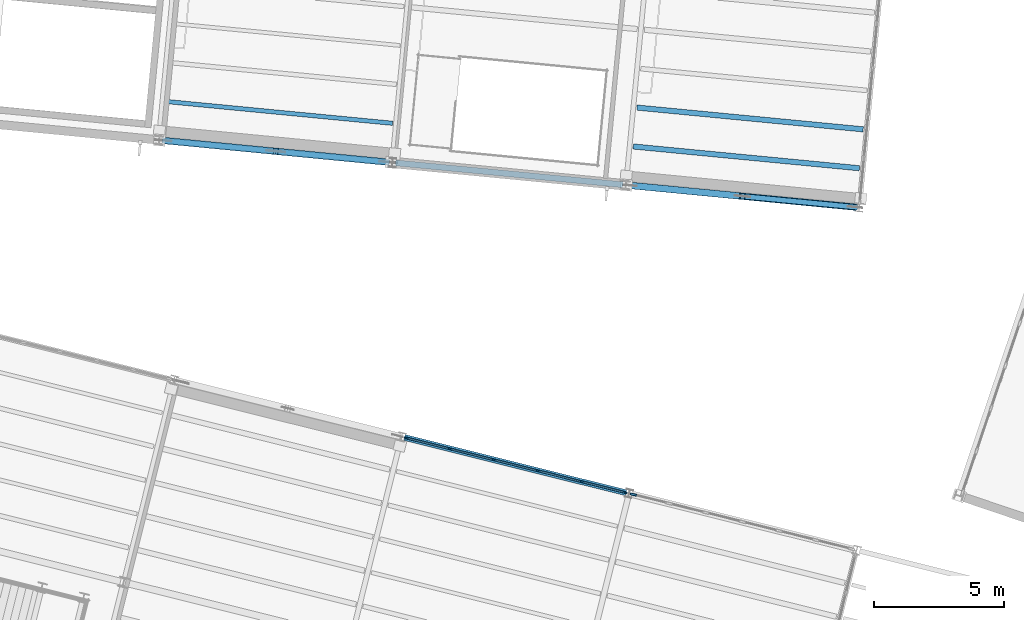
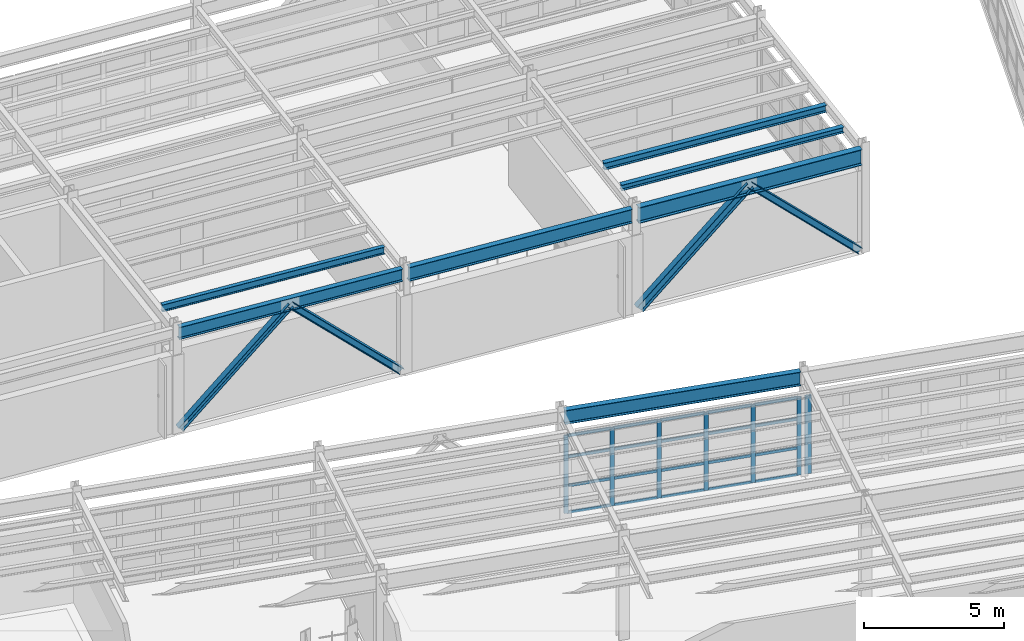
# One storey, part 33 of 102: 31 members, 7 beams, 2 elements without a shape of their own.
"""IFC4 building model written with IfcOpenShell, lengths in metres."""

from ifc_helpers import new_model, si_unit, direction, frame, origin, origin_2d, place, context, subcontext, project, spatial, rectangle, i_section, extrude, material, layer, layer_set, material_profile, profile_set, type_object, element, aggregate, save


model = new_model("IFC4")

# Units and contexts
model_context = context("Model", 3, precision=1e-05, world=origin(), true_north=direction((0.0, 1.0)))
body_context = subcontext(model_context, "Body", "Model", "MODEL_VIEW")
ifc_project = project(units=[si_unit("LENGTHUNIT", "METRE"), si_unit("AREAUNIT", "SQUARE_METRE"), si_unit("VOLUMEUNIT", "CUBIC_METRE"), si_unit("PLANEANGLEUNIT", "RADIAN"), si_unit("MASSUNIT", "GRAM", prefix="KILO")], contexts=[model_context])

# Site, building, storey
site_placement = place(None, origin())
site = spatial("IfcSite", under=ifc_project, at=site_placement, CompositionType="ELEMENT")
building_placement = place(site_placement, origin())
building = spatial("IfcBuilding", under=site, at=building_placement, Name="Vireo Bluff Cable Station", CompositionType="ELEMENT")
storey_placement = place(building_placement, frame((0.0, 0.0, 9.60009765625)))
storey = spatial("IfcBuildingStorey", under=building, at=storey_placement, Name="L02", CompositionType="ELEMENT", Elevation=9.60009765625)

# Members
ifc_material_1 = material(Name="Steel ASTM A992 Gr. 50", Category="steel")
ifc_material_profile_1 = material_profile(ifc_material_1, i_section(OverallWidth=0.2041015625, OverallDepth=0.257080078125, WebThickness=0.0087890625, FlangeThickness=0.015625, FilletRadius=0.009033203125, at=origin_2d()), Name="W10X45")
ifc_profile_set_1 = profile_set([ifc_material_profile_1], Name="Steel ASTM A992 Gr. 50")
member_type_1 = type_object("IfcMemberType", Name="BRC-01", PredefinedType="BRACE", material=ifc_profile_set_1)
member_1_placement = place(storey_placement, frame((103.4130859375, 63.56884765625, 0.039794921875), z_axis=(-0.720245625115, 0.069317790312, 0.690247262543), x_axis=(-0.095799228761, -0.995400676998, 0.0)))
element("IfcMember", 1, at=member_1_placement, inside=storey, type_object=member_type_1, Name="V3 L02 concentric brace 60R", PredefinedType="BRACE", context=body_context, shape_type="SweptSolid", body=[
    extrude(i_section(OverallWidth=0.2041015625, OverallDepth=0.257080078125, WebThickness=0.0087890625, FlangeThickness=0.015625, FilletRadius=0.009033203125, at=origin_2d()), origin(), (0.0, 0.0, 1.0), 5.998046875),
])
ifc_material_profile_2 = material_profile(ifc_material_1, i_section(OverallWidth=0.2548828125, OverallDepth=0.256103515625, WebThickness=0.009521484375, FlangeThickness=0.015625, FilletRadius=0.009033203125, at=origin_2d()), Name="W10X54")
ifc_profile_set_2 = profile_set([ifc_material_profile_2], Name="Steel ASTM A992 Gr. 50")
member_type_2 = type_object("IfcMemberType", Name="BRC-02", PredefinedType="BRACE", material=ifc_profile_set_2)
member_2_placement = place(storey_placement, frame((76.85595703125, 66.1259765625, 0.039794921875), z_axis=(0.720243592379, -0.069358297904, 0.690245314471), x_axis=(0.095854965264, 0.995395311238, 0.0)))
element("IfcMember", 2, at=member_2_placement, inside=storey, type_object=member_type_2, Name="V3 L02 concentric brace 61L", PredefinedType="BRACE", context=body_context, shape_type="SweptSolid", body=[
    extrude(i_section(OverallWidth=0.2548828125, OverallDepth=0.256103515625, WebThickness=0.009521484375, FlangeThickness=0.015625, FilletRadius=0.009033203125, at=origin_2d()), origin(), (0.0, 0.0, 1.0), 5.998046875),
])
ifc_material_profile_3 = material_profile(ifc_material_1, i_section(OverallWidth=0.257080078125, OverallDepth=0.263916015625, WebThickness=0.011962890625, FlangeThickness=0.01953125, FilletRadius=0.009033203125, at=origin_2d()), Name="W10X68")
ifc_profile_set_3 = profile_set([ifc_material_profile_3], Name="Steel ASTM A992 Gr. 50")
member_type_3 = type_object("IfcMemberType", Name="BRC-03", PredefinedType="BRACE", material=ifc_profile_set_3)
member_3_placement = place(storey_placement, frame((85.495849609375, 65.2939453125, 0.039794921875), z_axis=(-0.720224003124, 0.06936033126, 0.690265550185), x_axis=(-0.095860332855, -0.995394794333, 0.0)))
element("IfcMember", 3, at=member_3_placement, inside=storey, type_object=member_type_3, Name="V3 L02 concentric brace 62R", PredefinedType="BRACE", context=body_context, shape_type="SweptSolid", body=[
    extrude(i_section(OverallWidth=0.257080078125, OverallDepth=0.263916015625, WebThickness=0.011962890625, FlangeThickness=0.01953125, FilletRadius=0.009033203125, at=origin_2d()), origin(), (0.0, 0.0, 1.0), 5.997802734375),
])
ifc_material_profile_4 = material_profile(ifc_material_1, i_section(OverallWidth=0.25390625, OverallDepth=0.35302734375, WebThickness=0.009521484375, FlangeThickness=0.016357421875, FilletRadius=0.011962890625, at=origin_2d()), Name="W14X61")
ifc_profile_set_4 = profile_set([ifc_material_profile_4], Name="Steel ASTM A992 Gr. 50")
member_type_4 = type_object("IfcMemberType", Name="BRC-06", PredefinedType="BRACE", material=ifc_profile_set_4)
member_4_placement = place(storey_placement, frame((94.77294921875, 64.400634765625, 0.039794921875), z_axis=(0.720243592379, -0.069358297904, 0.690245314471), x_axis=(0.095854965264, 0.995395311238, 0.0)))
element("IfcMember", 4, at=member_4_placement, inside=storey, type_object=member_type_4, Name="V3 L02 concentric brace 59L", PredefinedType="BRACE", context=body_context, shape_type="SweptSolid", body=[
    extrude(i_section(OverallWidth=0.25390625, OverallDepth=0.35302734375, WebThickness=0.009521484375, FlangeThickness=0.016357421875, FilletRadius=0.011962890625, at=origin_2d()), origin(), (0.0, 0.0, 1.0), 5.998046875),
])

# Curtain wall, members
ifc_material_2 = material(Name="Anodized Aluminium 6063-T6", Category="aluminium")
ifc_layer_1 = layer(ifc_material_2, 0.179931640625, Name="Anodized Aluminium 6063-T6")
ifc_layer_set_1 = layer_set([ifc_layer_1], Name="Anodized Aluminium 6063-T6")
curtain_wall_type_1 = type_object("IfcCurtainWallType", Name="CW-UNIT-1650", PredefinedType="USERDEFINED", material=ifc_layer_set_1)
curtain_wall_1_placement = place(storey_placement, origin())
curtain_wall_1 = element("IfcCurtainWall", 5, at=curtain_wall_1_placement, inside=storey, type_object=curtain_wall_type_1, Name="V1 L02 north curtain wall CW-014", ObjectType="UNITISED CURTAIN WALL", PredefinedType="USERDEFINED")
ifc_material_profile_5 = material_profile(ifc_material_2, rectangle(XDim=0.06005859375, YDim=0.159912109375, at=origin_2d()), Name="ALU-M-60X160")
ifc_profile_set_5 = profile_set([ifc_material_profile_5], Name="Anodized Aluminium 6063-T6")
member_type_5 = type_object("IfcMemberType", Name="CWM-03", PredefinedType="MULLION", material=ifc_profile_set_5)
member_5_placement = place(storey_placement, frame((86.18701171875, 54.709716796875, 0.0), z_axis=(0.0, 0.0, 1.0), x_axis=(0.241921961849, 0.970295709758, 0.0)))
member_5 = element("IfcMember", 6, at=member_5_placement, type_object=member_type_5, Name="CW-014 mullion 1", PredefinedType="MULLION", context=body_context, shape_type="SweptSolid", body=[
    extrude(rectangle(XDim=0.06005859375, YDim=0.159912109375, at=origin_2d()), origin(), (0.0, 0.0, 1.0), 3.39990234375),
])
member_6_placement = place(storey_placement, frame((87.8486328125, 54.29541015625, 0.0), z_axis=(0.0, 0.0, 1.0), x_axis=(0.241921961849, 0.970295709758, 0.0)))
member_6 = element("IfcMember", 7, at=member_6_placement, type_object=member_type_5, Name="CW-014 mullion 2", PredefinedType="MULLION", context=body_context, shape_type="SweptSolid", body=[
    extrude(rectangle(XDim=0.06005859375, YDim=0.159912109375, at=origin_2d()), origin(), (0.0, 0.0, 1.0), 3.39990234375),
])
member_7_placement = place(storey_placement, frame((89.539306640625, 53.873779296875, 0.0), z_axis=(0.0, 0.0, 1.0), x_axis=(0.241921961849, 0.970295709758, 0.0)))
member_7 = element("IfcMember", 8, at=member_7_placement, type_object=member_type_5, Name="CW-014 mullion 3", PredefinedType="MULLION", context=body_context, shape_type="SweptSolid", body=[
    extrude(rectangle(XDim=0.06005859375, YDim=0.159912109375, at=origin_2d()), origin(), (0.0, 0.0, 1.0), 3.39990234375),
])
member_8_placement = place(storey_placement, frame((91.230224609375, 53.4521484375, 0.0), z_axis=(0.0, 0.0, 1.0), x_axis=(0.241921961849, 0.970295709758, 0.0)))
member_8 = element("IfcMember", 9, at=member_8_placement, type_object=member_type_5, Name="CW-014 mullion 4", PredefinedType="MULLION", context=body_context, shape_type="SweptSolid", body=[
    extrude(rectangle(XDim=0.06005859375, YDim=0.159912109375, at=origin_2d()), origin(), (0.0, 0.0, 1.0), 3.39990234375),
])
member_9_placement = place(storey_placement, frame((92.9208984375, 53.03076171875, 0.0), z_axis=(0.0, 0.0, 1.0), x_axis=(0.241921961849, 0.970295709758, 0.0)))
member_9 = element("IfcMember", 10, at=member_9_placement, type_object=member_type_5, Name="CW-014 mullion 5", PredefinedType="MULLION", context=body_context, shape_type="SweptSolid", body=[
    extrude(rectangle(XDim=0.06005859375, YDim=0.159912109375, at=origin_2d()), origin(), (0.0, 0.0, 1.0), 3.39990234375),
])
member_10_placement = place(storey_placement, frame((94.58251953125, 52.616455078125, 0.0), z_axis=(0.0, 0.0, 1.0), x_axis=(0.241921961849, 0.970295709758, 0.0)))
member_10 = element("IfcMember", 11, at=member_10_placement, type_object=member_type_5, Name="CW-014 mullion 6", PredefinedType="MULLION", context=body_context, shape_type="SweptSolid", body=[
    extrude(rectangle(XDim=0.06005859375, YDim=0.159912109375, at=origin_2d()), origin(), (0.0, 0.0, 1.0), 3.39990234375),
])

# Curtain wall, member
ifc_layer_2 = layer(ifc_material_2, 0.179931640625, Name="Anodized Aluminium 6063-T6")
ifc_layer_set_2 = layer_set([ifc_layer_2], Name="Anodized Aluminium 6063-T6")
curtain_wall_type_2 = type_object("IfcCurtainWallType", Name="CW-UNIT-1400", PredefinedType="USERDEFINED", material=ifc_layer_set_2)
curtain_wall_2_placement = place(storey_placement, origin())
curtain_wall_2 = element("IfcCurtainWall", 12, at=curtain_wall_2_placement, inside=storey, type_object=curtain_wall_type_2, Name="V1 L02 north curtain wall CW-015", ObjectType="UNITISED CURTAIN WALL", PredefinedType="USERDEFINED")
ifc_material_profile_6 = material_profile(ifc_material_2, rectangle(XDim=0.080078125, YDim=0.239990234375, at=origin_2d()), Name="ALU-M-80X240")
ifc_profile_set_6 = profile_set([ifc_material_profile_6], Name="Anodized Aluminium 6063-T6")
member_type_6 = type_object("IfcMemberType", Name="CWM-04", PredefinedType="MULLION", material=ifc_profile_set_6)
member_11_placement = place(storey_placement, frame((94.900634765625, 52.537109375, 0.0), z_axis=(0.0, 0.0, 1.0), x_axis=(0.241921853788, 0.970295736701, 0.0)))
member_11 = element("IfcMember", 13, at=member_11_placement, type_object=member_type_6, Name="CW-015 mullion 1", PredefinedType="MULLION", context=body_context, shape_type="SweptSolid", body=[
    extrude(rectangle(XDim=0.080078125, YDim=0.239990234375, at=origin_2d()), origin(), (0.0, 0.0, 1.0), 3.39990234375),
])
aggregate(curtain_wall_2, [member_11])

# Member
ifc_material_profile_7 = material_profile(ifc_material_2, rectangle(XDim=0.06005859375, YDim=0.1201171875, at=origin_2d()), Name="ALU-T-60X120")
ifc_profile_set_7 = profile_set([ifc_material_profile_7], Name="Anodized Aluminium 6063-T6")
member_type_7 = type_object("IfcMemberType", Name="CWT-03", PredefinedType="USERDEFINED", material=ifc_profile_set_7)
member_12_placement = place(storey_placement, frame((86.216064453125, 54.702392578125, 0.02978515625), z_axis=(0.970281379405, -0.241979430491, 0.0), x_axis=(0.241979430491, 0.970281379405, 0.0)))
member_12 = element("IfcMember", 14, at=member_12_placement, type_object=member_type_7, Name="CW-014 transom 1.1", ObjectType="TRANSOM", PredefinedType="USERDEFINED", context=body_context, shape_type="SweptSolid", body=[
    extrude(rectangle(XDim=0.06005859375, YDim=0.1201171875, at=origin_2d()), origin(), (0.0, 0.0, 1.0), 1.652587890625),
])

member_13_placement = place(storey_placement, frame((86.216064453125, 54.702392578125, 1.18994140625), z_axis=(0.970281379405, -0.241979430491, 0.0), x_axis=(0.241979430491, 0.970281379405, 0.0)))
member_13 = element("IfcMember", 15, at=member_13_placement, type_object=member_type_7, Name="CW-014 transom 1.2", ObjectType="TRANSOM", PredefinedType="USERDEFINED", context=body_context, shape_type="SweptSolid", body=[
    extrude(rectangle(XDim=0.06005859375, YDim=0.1201171875, at=origin_2d()), origin(), (0.0, 0.0, 1.0), 1.652587890625),
])

member_14_placement = place(storey_placement, frame((86.216064453125, 54.702392578125, 2.447998046875), z_axis=(0.970281379405, -0.241979430491, 0.0), x_axis=(0.241979430491, 0.970281379405, 0.0)))
member_14 = element("IfcMember", 16, at=member_14_placement, type_object=member_type_7, Name="CW-014 transom 1.3", ObjectType="TRANSOM", PredefinedType="USERDEFINED", context=body_context, shape_type="SweptSolid", body=[
    extrude(rectangle(XDim=0.06005859375, YDim=0.1201171875, at=origin_2d()), origin(), (0.0, 0.0, 1.0), 1.652587890625),
])

member_15_placement = place(storey_placement, frame((86.216064453125, 54.702392578125, 3.369873046875), z_axis=(0.970281379405, -0.241979430491, 0.0), x_axis=(0.241979430491, 0.970281379405, 0.0)))
member_15 = element("IfcMember", 17, at=member_15_placement, type_object=member_type_7, Name="CW-014 transom 1.4", ObjectType="TRANSOM", PredefinedType="USERDEFINED", context=body_context, shape_type="SweptSolid", body=[
    extrude(rectangle(XDim=0.06005859375, YDim=0.1201171875, at=origin_2d()), origin(), (0.0, 0.0, 1.0), 1.652587890625),
])

member_16_placement = place(storey_placement, frame((87.877685546875, 54.2880859375, 0.02978515625), z_axis=(0.970304457324, -0.241886874586, 0.0), x_axis=(0.241886874586, 0.970304457324, 0.0)))
member_16 = element("IfcMember", 18, at=member_16_placement, type_object=member_type_7, Name="CW-014 transom 2.1", ObjectType="TRANSOM", PredefinedType="USERDEFINED", context=body_context, shape_type="SweptSolid", body=[
    extrude(rectangle(XDim=0.06005859375, YDim=0.1201171875, at=origin_2d()), origin(), (0.0, 0.0, 1.0), 1.6826171875),
])

member_17_placement = place(storey_placement, frame((87.877685546875, 54.2880859375, 1.18994140625), z_axis=(0.970304457324, -0.241886874586, 0.0), x_axis=(0.241886874586, 0.970304457324, 0.0)))
member_17 = element("IfcMember", 19, at=member_17_placement, type_object=member_type_7, Name="CW-014 transom 2.2", ObjectType="TRANSOM", PredefinedType="USERDEFINED", context=body_context, shape_type="SweptSolid", body=[
    extrude(rectangle(XDim=0.06005859375, YDim=0.1201171875, at=origin_2d()), origin(), (0.0, 0.0, 1.0), 1.6826171875),
])

member_18_placement = place(storey_placement, frame((87.877685546875, 54.2880859375, 2.447998046875), z_axis=(0.970304457324, -0.241886874586, 0.0), x_axis=(0.241886874586, 0.970304457324, 0.0)))
member_18 = element("IfcMember", 20, at=member_18_placement, type_object=member_type_7, Name="CW-014 transom 2.3", ObjectType="TRANSOM", PredefinedType="USERDEFINED", context=body_context, shape_type="SweptSolid", body=[
    extrude(rectangle(XDim=0.06005859375, YDim=0.1201171875, at=origin_2d()), origin(), (0.0, 0.0, 1.0), 1.6826171875),
])

member_19_placement = place(storey_placement, frame((87.877685546875, 54.2880859375, 3.369873046875), z_axis=(0.970304457324, -0.241886874586, 0.0), x_axis=(0.241886874586, 0.970304457324, 0.0)))
member_19 = element("IfcMember", 21, at=member_19_placement, type_object=member_type_7, Name="CW-014 transom 2.4", ObjectType="TRANSOM", PredefinedType="USERDEFINED", context=body_context, shape_type="SweptSolid", body=[
    extrude(rectangle(XDim=0.06005859375, YDim=0.1201171875, at=origin_2d()), origin(), (0.0, 0.0, 1.0), 1.6826171875),
])

member_20_placement = place(storey_placement, frame((89.568603515625, 53.866455078125, 0.02978515625), z_axis=(0.970295965655, -0.241920935499, 0.0), x_axis=(0.241920935499, 0.970295965655, 0.0)))
member_20 = element("IfcMember", 22, at=member_20_placement, type_object=member_type_7, Name="CW-014 transom 3.1", ObjectType="TRANSOM", PredefinedType="USERDEFINED", context=body_context, shape_type="SweptSolid", body=[
    extrude(rectangle(XDim=0.06005859375, YDim=0.1201171875, at=origin_2d()), origin(), (0.0, 0.0, 1.0), 1.682373046875),
])

member_21_placement = place(storey_placement, frame((89.568603515625, 53.866455078125, 1.18994140625), z_axis=(0.970295965655, -0.241920935499, 0.0), x_axis=(0.241920935499, 0.970295965655, 0.0)))
member_21 = element("IfcMember", 23, at=member_21_placement, type_object=member_type_7, Name="CW-014 transom 3.2", ObjectType="TRANSOM", PredefinedType="USERDEFINED", context=body_context, shape_type="SweptSolid", body=[
    extrude(rectangle(XDim=0.06005859375, YDim=0.1201171875, at=origin_2d()), origin(), (0.0, 0.0, 1.0), 1.682373046875),
])

member_22_placement = place(storey_placement, frame((89.568603515625, 53.866455078125, 2.447998046875), z_axis=(0.970295965655, -0.241920935499, 0.0), x_axis=(0.241920935499, 0.970295965655, 0.0)))
member_22 = element("IfcMember", 24, at=member_22_placement, type_object=member_type_7, Name="CW-014 transom 3.3", ObjectType="TRANSOM", PredefinedType="USERDEFINED", context=body_context, shape_type="SweptSolid", body=[
    extrude(rectangle(XDim=0.06005859375, YDim=0.1201171875, at=origin_2d()), origin(), (0.0, 0.0, 1.0), 1.682373046875),
])

member_23_placement = place(storey_placement, frame((89.568603515625, 53.866455078125, 3.369873046875), z_axis=(0.970295965655, -0.241920935499, 0.0), x_axis=(0.241920935499, 0.970295965655, 0.0)))
member_23 = element("IfcMember", 25, at=member_23_placement, type_object=member_type_7, Name="CW-014 transom 3.4", ObjectType="TRANSOM", PredefinedType="USERDEFINED", context=body_context, shape_type="SweptSolid", body=[
    extrude(rectangle(XDim=0.06005859375, YDim=0.1201171875, at=origin_2d()), origin(), (0.0, 0.0, 1.0), 1.682373046875),
])

member_24_placement = place(storey_placement, frame((91.25927734375, 53.445068359375, 0.02978515625), z_axis=(0.970270392637, -0.242023480622, 0.0), x_axis=(0.242023480622, 0.970270392637, 0.0)))
member_24 = element("IfcMember", 26, at=member_24_placement, type_object=member_type_7, Name="CW-014 transom 4.1", ObjectType="TRANSOM", PredefinedType="USERDEFINED", context=body_context, shape_type="SweptSolid", body=[
    extrude(rectangle(XDim=0.06005859375, YDim=0.1201171875, at=origin_2d()), origin(), (0.0, 0.0, 1.0), 1.6826171875),
])

member_25_placement = place(storey_placement, frame((91.25927734375, 53.445068359375, 1.18994140625), z_axis=(0.970270392637, -0.242023480622, 0.0), x_axis=(0.242023480622, 0.970270392637, 0.0)))
member_25 = element("IfcMember", 27, at=member_25_placement, type_object=member_type_7, Name="CW-014 transom 4.2", ObjectType="TRANSOM", PredefinedType="USERDEFINED", context=body_context, shape_type="SweptSolid", body=[
    extrude(rectangle(XDim=0.06005859375, YDim=0.1201171875, at=origin_2d()), origin(), (0.0, 0.0, 1.0), 1.6826171875),
])

member_26_placement = place(storey_placement, frame((91.25927734375, 53.445068359375, 2.447998046875), z_axis=(0.970270392637, -0.242023480622, 0.0), x_axis=(0.242023480622, 0.970270392637, 0.0)))
member_26 = element("IfcMember", 28, at=member_26_placement, type_object=member_type_7, Name="CW-014 transom 4.3", ObjectType="TRANSOM", PredefinedType="USERDEFINED", context=body_context, shape_type="SweptSolid", body=[
    extrude(rectangle(XDim=0.06005859375, YDim=0.1201171875, at=origin_2d()), origin(), (0.0, 0.0, 1.0), 1.6826171875),
])

member_27_placement = place(storey_placement, frame((91.25927734375, 53.445068359375, 3.369873046875), z_axis=(0.970270392637, -0.242023480622, 0.0), x_axis=(0.242023480622, 0.970270392637, 0.0)))
member_27 = element("IfcMember", 29, at=member_27_placement, type_object=member_type_7, Name="CW-014 transom 4.4", ObjectType="TRANSOM", PredefinedType="USERDEFINED", context=body_context, shape_type="SweptSolid", body=[
    extrude(rectangle(XDim=0.06005859375, YDim=0.1201171875, at=origin_2d()), origin(), (0.0, 0.0, 1.0), 1.6826171875),
])

member_28_placement = place(storey_placement, frame((92.949951171875, 53.0234375, 0.02978515625), z_axis=(0.970281379405, -0.241979430491, 0.0), x_axis=(0.241979430491, 0.970281379405, 0.0)))
member_28 = element("IfcMember", 30, at=member_28_placement, type_object=member_type_7, Name="CW-014 transom 5.1", ObjectType="TRANSOM", PredefinedType="USERDEFINED", context=body_context, shape_type="SweptSolid", body=[
    extrude(rectangle(XDim=0.06005859375, YDim=0.1201171875, at=origin_2d()), origin(), (0.0, 0.0, 1.0), 1.652587890625),
])

member_29_placement = place(storey_placement, frame((92.949951171875, 53.0234375, 1.18994140625), z_axis=(0.970281379405, -0.241979430491, 0.0), x_axis=(0.241979430491, 0.970281379405, 0.0)))
member_29 = element("IfcMember", 31, at=member_29_placement, type_object=member_type_7, Name="CW-014 transom 5.2", ObjectType="TRANSOM", PredefinedType="USERDEFINED", context=body_context, shape_type="SweptSolid", body=[
    extrude(rectangle(XDim=0.06005859375, YDim=0.1201171875, at=origin_2d()), origin(), (0.0, 0.0, 1.0), 1.652587890625),
])

member_30_placement = place(storey_placement, frame((92.949951171875, 53.0234375, 2.447998046875), z_axis=(0.970281379405, -0.241979430491, 0.0), x_axis=(0.241979430491, 0.970281379405, 0.0)))
member_30 = element("IfcMember", 32, at=member_30_placement, type_object=member_type_7, Name="CW-014 transom 5.3", ObjectType="TRANSOM", PredefinedType="USERDEFINED", context=body_context, shape_type="SweptSolid", body=[
    extrude(rectangle(XDim=0.06005859375, YDim=0.1201171875, at=origin_2d()), origin(), (0.0, 0.0, 1.0), 1.652587890625),
])

member_31_placement = place(storey_placement, frame((92.949951171875, 53.0234375, 3.369873046875), z_axis=(0.970281379405, -0.241979430491, 0.0), x_axis=(0.241979430491, 0.970281379405, 0.0)))
member_31 = element("IfcMember", 33, at=member_31_placement, type_object=member_type_7, Name="CW-014 transom 5.4", ObjectType="TRANSOM", PredefinedType="USERDEFINED", context=body_context, shape_type="SweptSolid", body=[
    extrude(rectangle(XDim=0.06005859375, YDim=0.1201171875, at=origin_2d()), origin(), (0.0, 0.0, 1.0), 1.652587890625),
])

aggregate(curtain_wall_1, [member_5, member_6, member_7, member_8, member_9, member_10, member_12, member_13, member_14, member_15, member_16, member_17, member_18, member_19, member_20, member_21, member_22, member_23, member_24, member_25, member_26, member_27, member_28, member_29, member_30, member_31])

# Beams
ifc_material_profile_8 = material_profile(ifc_material_1, i_section(OverallWidth=0.201904296875, OverallDepth=0.2470703125, WebThickness=0.00732421875, FlangeThickness=0.010986328125, FilletRadius=0.009033203125, at=origin_2d()), Name="W10X33")
ifc_profile_set_8 = profile_set([ifc_material_profile_8], Name="Steel ASTM A992 Gr. 50")
beam_type_1 = type_object("IfcBeamType", Name="JST-W10X33", PredefinedType="JOIST", material=ifc_profile_set_8)
beam_1_placement = place(storey_placement, frame((94.89697265625, 65.895751953125, 4.37646484375), z_axis=(0.995396914857, -0.095838311194, 0.0), x_axis=(0.095838311194, 0.995396914857, 0.0)))
element("IfcBeam", 34, at=beam_1_placement, inside=storey, type_object=beam_type_1, Name="V3 L02 composite joist 756", PredefinedType="JOIST", context=body_context, shape_type="SweptSolid", body=[
    extrude(i_section(OverallWidth=0.201904296875, OverallDepth=0.2470703125, WebThickness=0.00732421875, FlangeThickness=0.010986328125, FilletRadius=0.009033203125, at=origin_2d()), origin(), (0.0, 0.0, 1.0), 8.7197265625),
])
ifc_material_profile_9 = material_profile(ifc_material_1, i_section(OverallWidth=0.1650390625, OverallDepth=0.31005859375, WebThickness=0.005859375, FlangeThickness=0.009765625, FilletRadius=0.010009765625, at=origin_2d()), Name="W12X26")
ifc_profile_set_9 = profile_set([ifc_material_profile_9], Name="Steel ASTM A992 Gr. 50")
beam_type_2 = type_object("IfcBeamType", Name="JST-W12X26", PredefinedType="JOIST", material=ifc_profile_set_9)
beam_2_placement = place(storey_placement, frame((76.979736328125, 67.620849609375, 4.344970703125), z_axis=(0.995397172011, -0.095835640306, 0.0), x_axis=(0.095835640306, 0.995397172011, 0.0)))
element("IfcBeam", 35, at=beam_2_placement, inside=storey, type_object=beam_type_2, Name="V3 L02 composite joist 739", PredefinedType="JOIST", context=body_context, shape_type="SweptSolid", body=[
    extrude(i_section(OverallWidth=0.1650390625, OverallDepth=0.31005859375, WebThickness=0.005859375, FlangeThickness=0.009765625, FilletRadius=0.010009765625, at=origin_2d()), origin(), (0.0, 0.0, 1.0), 8.719970703125),
])
ifc_material_profile_10 = material_profile(ifc_material_1, i_section(OverallWidth=0.202880859375, OverallDepth=0.302978515625, WebThickness=0.007568359375, FlangeThickness=0.01318359375, FilletRadius=0.010009765625, at=origin_2d()), Name="W12X40")
ifc_profile_set_10 = profile_set([ifc_material_profile_10], Name="Steel ASTM A992 Gr. 50")
beam_type_3 = type_object("IfcBeamType", Name="JST-W12X40", PredefinedType="JOIST", material=ifc_profile_set_10)
beam_3_placement = place(storey_placement, frame((95.040771484375, 67.388916015625, 4.348388671875), z_axis=(0.995394243516, -0.095866052256, 0.0), x_axis=(0.095866052256, 0.995394243516, 0.0)))
element("IfcBeam", 36, at=beam_3_placement, inside=storey, type_object=beam_type_3, Name="V3 L02 composite joist 757", PredefinedType="JOIST", context=body_context, shape_type="SweptSolid", body=[
    extrude(i_section(OverallWidth=0.202880859375, OverallDepth=0.302978515625, WebThickness=0.007568359375, FlangeThickness=0.01318359375, FilletRadius=0.010009765625, at=origin_2d()), origin(), (0.0, 0.0, 1.0), 8.719970703125),
])
ifc_material_profile_11 = material_profile(ifc_material_1, i_section(OverallWidth=0.2099609375, OverallDepth=0.535888671875, WebThickness=0.010986328125, FlangeThickness=0.017333984375, FilletRadius=0.012939453125, at=origin_2d()), Name="W21X68")
ifc_profile_set_11 = profile_set([ifc_material_profile_11], Name="Steel ASTM A992 Gr. 50")
beam_type_4 = type_object("IfcBeamType", Name="SPN-W21X68", PredefinedType="SPANDREL", material=ifc_profile_set_11)
beam_4_placement = place(storey_placement, frame((76.816162109375, 66.1298828125, 4.23193359375), z_axis=(0.995393697726, -0.095871719122, 0.0), x_axis=(0.095871719122, 0.995393697726, 0.0)))
element("IfcBeam", 37, at=beam_4_placement, inside=storey, type_object=beam_type_4, Name="V3 L02 spandrel 713", PredefinedType="SPANDREL", context=body_context, shape_type="SweptSolid", body=[
    extrude(i_section(OverallWidth=0.2099609375, OverallDepth=0.535888671875, WebThickness=0.010986328125, FlangeThickness=0.017333984375, FilletRadius=0.012939453125, at=origin_2d()), origin(), (0.0, 0.0, 1.0), 8.760009765625),
])
ifc_material_profile_12 = material_profile(ifc_material_1, i_section(OverallWidth=0.22802734375, OverallDepth=0.60693359375, WebThickness=0.01123046875, FlangeThickness=0.017333984375, FilletRadius=0.012939453125, at=origin_2d()), Name="W24X76")
ifc_profile_set_12 = profile_set([ifc_material_profile_12], Name="Steel ASTM A992 Gr. 50")
beam_type_5 = type_object("IfcBeamType", Name="SPN-W24X76", PredefinedType="SPANDREL", material=ifc_profile_set_12)
for number, where, z_axis, x_axis, name in (
    (38, (86.12060546875, 54.72607421875, 4.236328125), (0.970298044881, -0.241912595995, 0.0), (0.241912595995, 0.970298044881, 0.0), "V1 L02 spandrel 166"),
    (39, (85.774658203125, 65.26708984375, 4.1962890625), (0.995396356957, -0.095844105487, 0.0), (0.095844105487, 0.995396356957, 0.0), "V3 L02 spandrel 714"),
):
    element("IfcBeam", number, at=place(storey_placement, frame(where, z_axis=z_axis, x_axis=x_axis)), inside=storey, type_object=beam_type_5, Name=name, PredefinedType="SPANDREL", context=body_context, shape_type="SweptSolid", body=[
        extrude(i_section(OverallWidth=0.22802734375, OverallDepth=0.60693359375, WebThickness=0.01123046875, FlangeThickness=0.017333984375, FilletRadius=0.012939453125, at=origin_2d()), origin(), (0.0, 0.0, 1.0), 8.760009765625),
    ])
ifc_material_profile_13 = material_profile(ifc_material_1, i_section(OverallWidth=0.257080078125, OverallDepth=0.693115234375, WebThickness=0.014404296875, FlangeThickness=0.023681640625, FilletRadius=0.014892578125, at=origin_2d()), Name="W27X114")
ifc_profile_set_13 = profile_set([ifc_material_profile_13], Name="Steel ASTM A992 Gr. 50")
beam_type_6 = type_object("IfcBeamType", Name="SPN-W27X114", PredefinedType="SPANDREL", material=ifc_profile_set_13)
beam_5_placement = place(storey_placement, frame((94.733154296875, 64.404541015625, 4.1533203125), z_axis=(0.995396356957, -0.095844105487, 0.0), x_axis=(0.095844105487, 0.995396356957, 0.0)))
element("IfcBeam", 40, at=beam_5_placement, inside=storey, type_object=beam_type_6, Name="V3 L02 spandrel 715", PredefinedType="SPANDREL", context=body_context, shape_type="SweptSolid", body=[
    extrude(i_section(OverallWidth=0.257080078125, OverallDepth=0.693115234375, WebThickness=0.014404296875, FlangeThickness=0.023681640625, FilletRadius=0.014892578125, at=origin_2d()), origin(), (0.0, 0.0, 1.0), 8.760009765625),
])

save(model, "model.ifc")
